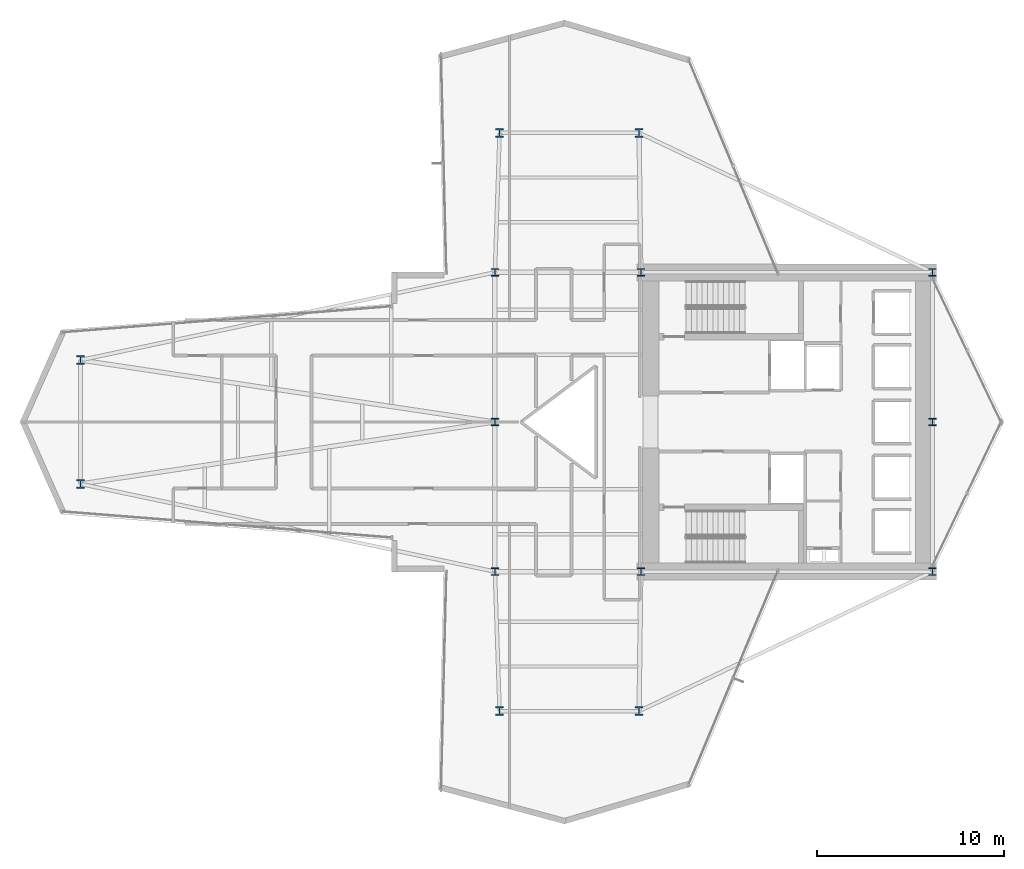
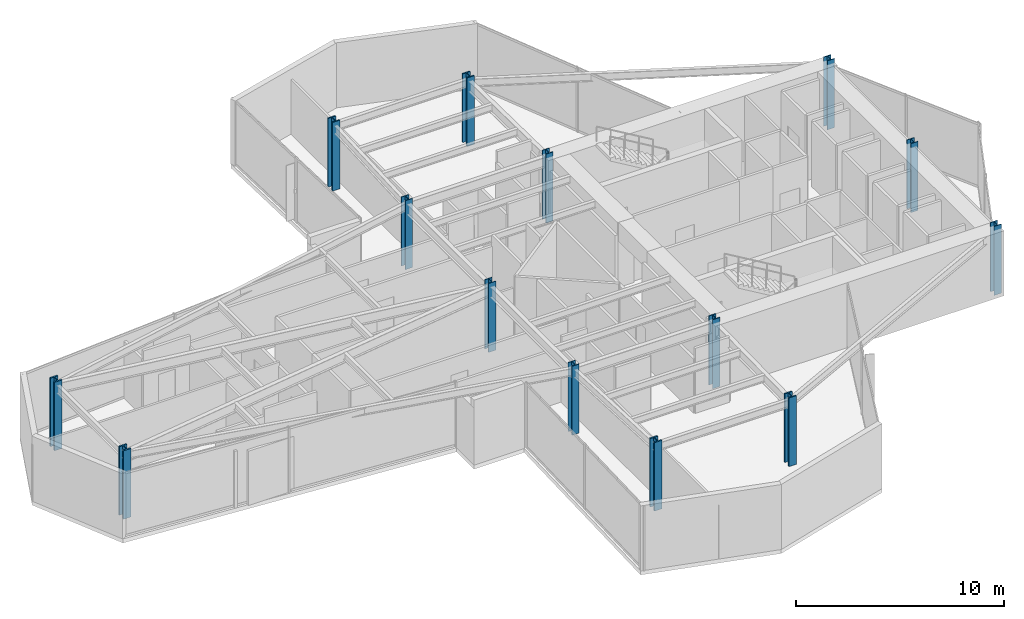
# One storey, part 1 of 24: 14 columns.
"""IFC4 building model written with IfcOpenShell, lengths in metres."""

from ifc_helpers import new_model, si_unit, direction, frame, origin, origin_2d, place, context, subcontext, project, spatial, i_section, extrude, material, material_profile, profile_set, type_object, element, save


model = new_model("IFC4")

# Units and contexts
model_context = context("Model", 3, precision=1e-05, world=origin(), true_north=direction((0.0, 1.0)))
body_context = subcontext(model_context, "Body", "Model", "MODEL_VIEW")
ifc_project = project(units=[si_unit("LENGTHUNIT", "METRE"), si_unit("AREAUNIT", "SQUARE_METRE"), si_unit("VOLUMEUNIT", "CUBIC_METRE"), si_unit("PLANEANGLEUNIT", "RADIAN"), si_unit("MASSUNIT", "GRAM", prefix="KILO")], contexts=[model_context])

# Site, building, storey
site_placement = place(None, origin())
site = spatial("IfcSite", under=ifc_project, at=site_placement, CompositionType="ELEMENT")
building_placement = place(site_placement, origin())
building = spatial("IfcBuilding", under=site, at=building_placement, Name="Veymaron Broadcast Tower", CompositionType="ELEMENT")
storey_placement = place(building_placement, frame((0.0, 0.0, 78.300048828125)))
storey = spatial("IfcBuildingStorey", under=building, at=storey_placement, Name="L17", CompositionType="ELEMENT", Elevation=78.300048828125)

# Columns
ifc_material = material(Name="Structural steel ASTM A913 Gr 65", Category="steel")
ifc_material_profile_1 = material_profile(ifc_material, i_section(OverallWidth=0.40087890625, OverallDepth=0.39892578125, WebThickness=0.02490234375, FlangeThickness=0.03955078125, at=origin_2d()), Name="W360X314")
ifc_profile_set_1 = profile_set([ifc_material_profile_1], Name="Structural steel ASTM A913 Gr 65")
column_type_1 = type_object("IfcColumnType", Name="COL-HC1", PredefinedType="COLUMN", material=ifc_profile_set_1)
for number, where, z_axis, x_axis, name in (
    (1, (31.199951171875, 16.0, 0.0), (0.0, 0.0, 1.0), (1.0, 0.0, 0.0), "L17 structural hub and core column"),
    (2, (31.199951171875, 24.0, 0.0), (0.0, 0.0, 1.0), (1.0, 0.0, 0.0), "L17 structural hub and core column"),
    (3, (31.199951171875, 32.0, 0.0), (0.0, 0.0, 1.0), (1.0, 0.0, 0.0), "L17 structural hub and core column"),
    (4, (39.0, 16.0, 0.0), (0.0, 0.0, 1.0), (1.0, 0.0, 0.0), "L17 structural hub and core column"),
    (5, (39.0, 32.0, 0.0), (0.0, 0.0, 1.0), (1.0, 0.0, 0.0), "L17 structural hub and core column"),
    (6, (54.60009765625, 16.0, 0.0), (0.0, 0.0, 1.0), (1.0, 0.0, 0.0), "L17 structural hub and core column"),
    (7, (54.60009765625, 24.0, 0.0), (0.0, 0.0, 1.0), (1.0, 0.0, 0.0), "L17 structural hub and core column"),
    (8, (54.60009765625, 32.0, 0.0), (0.0, 0.0, 1.0), (1.0, 0.0, 0.0), "L17 structural hub and core column"),
):
    element("IfcColumn", number, at=place(storey_placement, frame(where, z_axis=z_axis, x_axis=x_axis)), inside=storey, type_object=column_type_1, Name=name, PredefinedType="COLUMN", context=body_context, shape_type="SweptSolid", body=[
        extrude(i_section(OverallWidth=0.40087890625, OverallDepth=0.39892578125, WebThickness=0.02490234375, FlangeThickness=0.03955078125, at=origin_2d()), origin(), (0.0, 0.0, 1.0), 4.0439453125),
    ])
ifc_material_profile_2 = material_profile(ifc_material, i_section(OverallWidth=0.424072265625, OverallDepth=0.47412109375, WebThickness=0.047607421875, FlangeThickness=0.076904296875, at=origin_2d()), Name="W360X634")
ifc_profile_set_2 = profile_set([ifc_material_profile_2], Name="Structural steel ASTM A913 Gr 65")
column_type_2 = type_object("IfcColumnType", Name="COL-MC1", PredefinedType="COLUMN", material=ifc_profile_set_2)
for number, where, z_axis, x_axis, name in (
    (9, (9.0419921875, 20.68994140625, 0.015869140625), (0.0, 0.0, 1.0), (1.0, 0.0, 0.0), "L17 Tapered Wing Mega Column"),
    (10, (9.0419921875, 27.31005859375, 0.015869140625), (0.0, 0.0, 1.0), (1.0, 0.0, 0.0), "L17 Tapered Wing Mega Column"),
    (11, (31.451904296875, 39.4599609375, 0.015869140625), (0.0, 0.0, 1.0), (1.0, 0.0, 0.0), "L17 Tapered Wing Mega Column"),
    (12, (38.909912109375, 39.4599609375, 0.015869140625), (0.0, 0.0, 1.0), (1.0, 0.0, 0.0), "L17 Tapered Wing Mega Column"),
    (13, (31.451904296875, 8.5400390625, 0.015869140625), (0.0, 0.0, 1.0), (1.0, 0.0, 0.0), "L17 Tapered Wing Mega Column"),
    (14, (38.909912109375, 8.5400390625, 0.015869140625), (0.0, 0.0, 1.0), (1.0, 0.0, 0.0), "L17 Tapered Wing Mega Column"),
):
    element("IfcColumn", number, at=place(storey_placement, frame(where, z_axis=z_axis, x_axis=x_axis)), inside=storey, type_object=column_type_2, Name=name, PredefinedType="COLUMN", context=body_context, shape_type="SweptSolid", body=[
        extrude(i_section(OverallWidth=0.424072265625, OverallDepth=0.47412109375, WebThickness=0.047607421875, FlangeThickness=0.076904296875, at=origin_2d()), origin(), (0.0, 0.0, 1.0), 4.01806640625),
    ])

save(model, "model.ifc")
